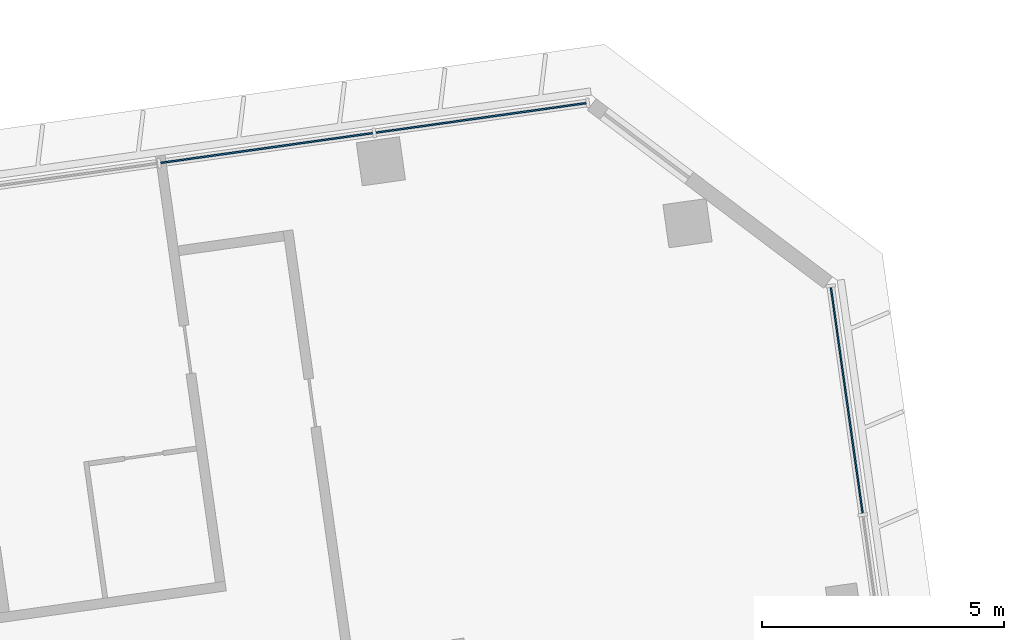
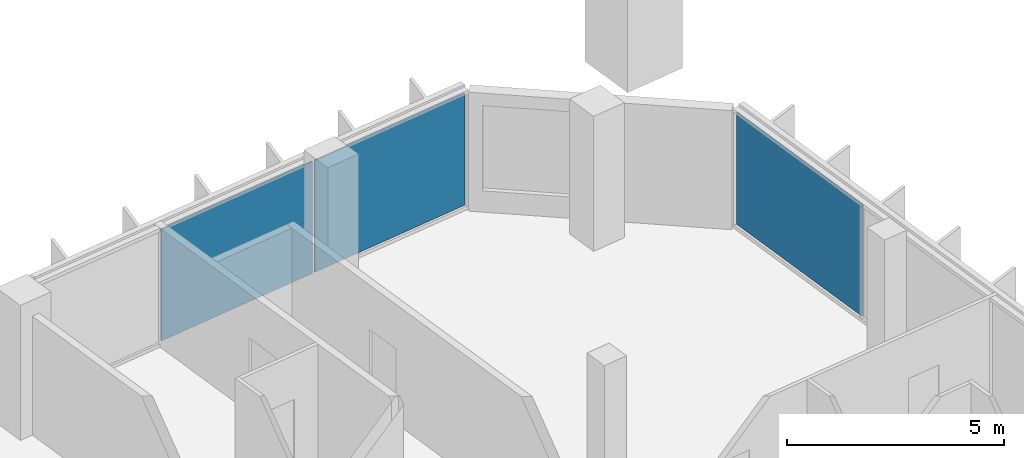
# One storey, part 13 of 24: 3 plates, 2 elements without a shape of their own.
"""IFC4 building model written with IfcOpenShell, lengths in metres."""

from ifc_helpers import new_model, si_unit, direction, frame, origin, origin_2d, place, context, subcontext, project, spatial, rectangle, extrude, material, layer, layer_set, type_object, element, aggregate, save


model = new_model("IFC4")

# Units and contexts
model_context = context("Model", 3, precision=1e-05, world=origin(), true_north=direction((0.0, 1.0)))
body_context = subcontext(model_context, "Body", "Model", "MODEL_VIEW")
ifc_project = project(units=[si_unit("LENGTHUNIT", "METRE"), si_unit("AREAUNIT", "SQUARE_METRE"), si_unit("VOLUMEUNIT", "CUBIC_METRE"), si_unit("PLANEANGLEUNIT", "RADIAN"), si_unit("MASSUNIT", "GRAM", prefix="KILO")], contexts=[model_context])

# Site, building, storey
site_placement = place(None, origin())
site = spatial("IfcSite", under=ifc_project, at=site_placement, CompositionType="ELEMENT")
building_placement = place(site_placement, origin())
building = spatial("IfcBuilding", under=site, at=building_placement, Name="Mirante Cascada Hotel Towers", CompositionType="ELEMENT")
storey_placement = place(building_placement, frame((0.0, 0.0, 110.1)))
storey = spatial("IfcBuildingStorey", under=building, at=storey_placement, Name="L24", CompositionType="ELEMENT", Elevation=110.1)

# Curtain wall, plates
ifc_material_1 = material(Name="Aluminium mullion and transom frame with clear laminated glass", Category="aluminium")
curtain_wall_type_1 = type_object("IfcCurtainWallType", Name="Ribbon curtain wall ECW1", PredefinedType="NOTDEFINED", material=ifc_material_1)
curtain_wall_1_placement = place(storey_placement, origin())
curtain_wall_1 = element("IfcCurtainWall", 1, at=curtain_wall_1_placement, inside=storey, type_object=curtain_wall_type_1, Name="Front ribbon wall T2 L24", PredefinedType="NOTDEFINED")
ifc_material_2 = material(Name="Clear laminated glass", Category="glass")
ifc_layer_1 = layer(ifc_material_2, 0.036)
ifc_layer_set_1 = layer_set([ifc_layer_1], Name="ECW1 glass panel 36")
plate_type_1 = type_object("IfcPlateType", Name="ECW1 glass panel 36", PredefinedType="CURTAIN_PANEL", material=ifc_layer_set_1)
plate_1_placement = place(storey_placement, frame((91.9184, 25.7373, 0.1), z_axis=(0.0, 0.0, 1.0), x_axis=(-0.9902681, -0.1391731, 0.0)))
plate_1 = element("IfcPlate", 2, at=plate_1_placement, type_object=plate_type_1, Name="ECW1 panel 1", PredefinedType="CURTAIN_PANEL", context=body_context, shape_type="SweptSolid", body=[
    extrude(rectangle(XDim=4.3936, YDim=0.036, at=origin_2d()), origin(), (0.0, 0.0, 1.0), 3.15),
])
plate_2_placement = place(storey_placement, frame((87.487, 25.1145, 0.1), z_axis=(0.0, 0.0, 1.0), x_axis=(-0.9902681, -0.1391731, 0.0)))
plate_2 = element("IfcPlate", 3, at=plate_2_placement, type_object=plate_type_1, Name="ECW1 panel 2", PredefinedType="CURTAIN_PANEL", context=body_context, shape_type="SweptSolid", body=[
    extrude(rectangle(XDim=4.4261, YDim=0.036, at=origin_2d()), origin(), (0.0, 0.0, 1.0), 3.15),
])
aggregate(curtain_wall_1, [plate_1, plate_2])

# Curtain wall, plate
ifc_material_3 = material(Name="Aluminium mullion and transom frame with clear laminated glass", Category="aluminium")
curtain_wall_type_2 = type_object("IfcCurtainWallType", Name="End ribbon curtain wall ECW2", PredefinedType="NOTDEFINED", material=ifc_material_3)
curtain_wall_2_placement = place(storey_placement, origin())
curtain_wall_2 = element("IfcCurtainWall", 4, at=curtain_wall_2_placement, inside=storey, type_object=curtain_wall_type_2, Name="Outer end wall T2 L24", PredefinedType="NOTDEFINED")
ifc_material_4 = material(Name="Insulated aluminium spandrel panel", Category="aluminium")
ifc_layer_2 = layer(ifc_material_4, 0.034)
ifc_layer_set_2 = layer_set([ifc_layer_2], Name="ECW2 spandrel panel 34")
plate_type_2 = type_object("IfcPlateType", Name="ECW2 spandrel panel 34", PredefinedType="CURTAIN_PANEL", material=ifc_layer_set_2)
plate_3_placement = place(storey_placement, frame((99.4786, 19.898, 0.1), z_axis=(0.0, 0.0, 1.0), x_axis=(-0.1391731, 0.9902681, 0.0)))
plate_3 = element("IfcPlate", 5, at=plate_3_placement, type_object=plate_type_2, Name="ECW2 panel 6", PredefinedType="CURTAIN_PANEL", context=body_context, shape_type="SweptSolid", body=[
    extrude(rectangle(XDim=4.7151, YDim=0.034, at=origin_2d()), origin(), (0.0, 0.0, 1.0), 3.15),
])
aggregate(curtain_wall_2, [plate_3])

save(model, "model.ifc")
